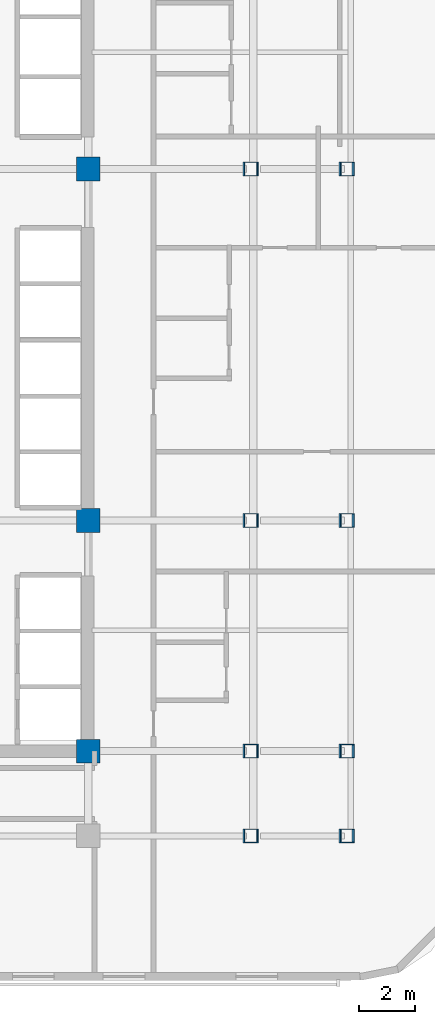
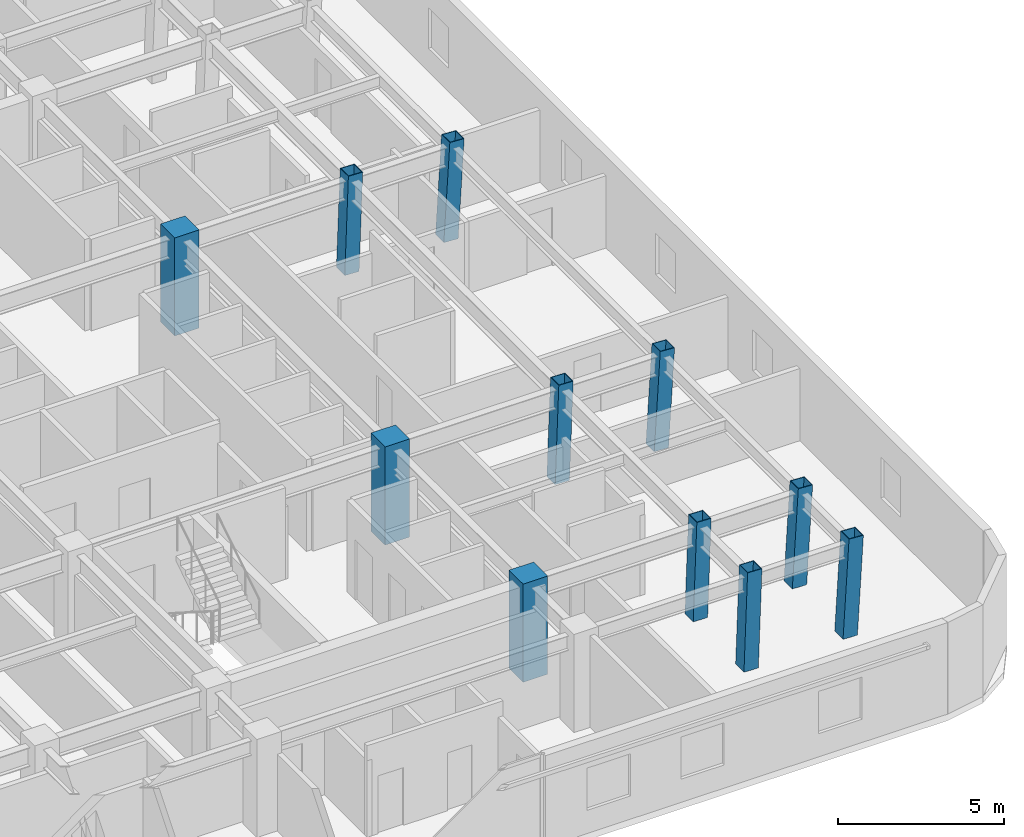
# One storey, part 2 of 15: 11 columns.
"""IFC4 building model written with IfcOpenShell, lengths in metres."""

from ifc_helpers import new_model, si_unit, direction, frame, origin, origin_2d, place, context, subcontext, project, spatial, rectangle, hollow_rectangle, extrude, material, material_profile, profile_set, type_object, element, save


model = new_model("IFC4")

# Units and contexts
model_context = context("Model", 3, precision=1e-05, world=origin(), true_north=direction((0.0, 1.0)))
body_context = subcontext(model_context, "Body", "Model", "MODEL_VIEW")
ifc_project = project(units=[si_unit("LENGTHUNIT", "METRE"), si_unit("AREAUNIT", "SQUARE_METRE"), si_unit("VOLUMEUNIT", "CUBIC_METRE"), si_unit("PLANEANGLEUNIT", "RADIAN"), si_unit("MASSUNIT", "GRAM", prefix="KILO")], contexts=[model_context])

# Site, building, storey
site_placement = place(None, origin())
site = spatial("IfcSite", under=ifc_project, at=site_placement, CompositionType="ELEMENT")
building_placement = place(site_placement, origin())
building = spatial("IfcBuilding", under=site, at=building_placement, Name="Ochreholt Gables", CompositionType="ELEMENT")
storey_placement = place(building_placement, frame((0.0, 0.0, 31.199951171875)))
storey = spatial("IfcBuildingStorey", under=building, at=storey_placement, Name="L07", CompositionType="ELEMENT", Elevation=31.199951171875)

# Columns
ifc_material_1 = material(Name="Steel CSA G40.21 350W", Category="steel")
ifc_material_profile_1 = material_profile(ifc_material_1, hollow_rectangle(XDim=0.5, YDim=0.5, WallThickness=0.02197265625, at=origin_2d()), Name="HSS500X500X22")
ifc_profile_set_1 = profile_set([ifc_material_profile_1], Name="Steel CSA G40.21 350W")
column_type_1 = type_object("IfcColumnType", Name="COL-HSS500-RAK", PredefinedType="COLUMN", material=ifc_profile_set_1)
for number, where, z_axis, x_axis, name in (
    (1, (41.028076171875, 9.25, 0.0), (0.034971136209, 0.0, 0.999388322742), (0.0, 1.0, 0.0), "L07 Column EMY2"),
    (2, (41.028076171875, 17.550048828125, 0.0), (0.034971136209, 0.0, 0.999388322742), (0.0, 1.0, 0.0), "L07 Column EMY3"),
    (3, (41.028076171875, 30.199951171875, 0.0), (0.034971136209, 0.0, 0.999388322742), (0.0, 1.0, 0.0), "L07 Column EMY4"),
):
    element("IfcColumn", number, at=place(storey_placement, frame(where, z_axis=z_axis, x_axis=x_axis)), inside=storey, type_object=column_type_1, Name=name, PredefinedType="COLUMN", context=body_context, shape_type="SweptSolid", body=[
        extrude(hollow_rectangle(XDim=0.5, YDim=0.5, WallThickness=0.02197265625, at=origin_2d()), origin(), (0.0, 0.0, 1.0), 3.602294921875),
    ])
ifc_material_profile_2 = material_profile(ifc_material_1, hollow_rectangle(XDim=0.5, YDim=0.5, WallThickness=0.02197265625, at=origin_2d()), Name="HSS500X500X22")
ifc_profile_set_2 = profile_set([ifc_material_profile_2], Name="Steel CSA G40.21 350W")
column_type_2 = type_object("IfcColumnType", Name="COL-HSS500-RAKE", PredefinedType="COLUMN", material=ifc_profile_set_2)
column_placement = place(storey_placement, frame((41.028076171875, 6.199951171875, 0.0), z_axis=(0.034971136209, 0.0, 0.999388322742), x_axis=(0.0, 1.0, 0.0)))
element("IfcColumn", 4, at=column_placement, inside=storey, type_object=column_type_2, Name="L07 Column EMY1", PredefinedType="COLUMN", context=body_context, shape_type="SweptSolid", body=[
    extrude(hollow_rectangle(XDim=0.5, YDim=0.5, WallThickness=0.02197265625, at=origin_2d()), origin(), (0.0, 0.0, 1.0), 3.602294921875),
])
for number, where, z_axis, x_axis, name in (
    (5, (44.46630859375, 6.199951171875, 0.0), (0.057952080376, 0.0, 0.998319365925), (0.0, 1.0, 0.0), "L07 Column EEY1"),
    (6, (44.46630859375, 9.25, 0.0), (0.057952080376, 0.0, 0.998319365925), (0.0, 1.0, 0.0), "L07 Column EEY2"),
    (7, (44.46630859375, 17.550048828125, 0.0), (0.057952080376, 0.0, 0.998319365925), (0.0, 1.0, 0.0), "L07 Column EEY3"),
    (8, (44.46630859375, 30.199951171875, 0.0), (0.057952080376, 0.0, 0.998319365925), (0.0, 1.0, 0.0), "L07 Column EEY4"),
):
    element("IfcColumn", number, at=place(storey_placement, frame(where, z_axis=z_axis, x_axis=x_axis)), inside=storey, type_object=column_type_2, Name=name, PredefinedType="COLUMN", context=body_context, shape_type="SweptSolid", body=[
        extrude(hollow_rectangle(XDim=0.5, YDim=0.5, WallThickness=0.02197265625, at=origin_2d()), origin(), (0.0, 0.0, 1.0), 3.606201171875),
    ])
ifc_material_2 = material(Name="Concrete 60 MPa", Category="concrete")
ifc_material_profile_3 = material_profile(ifc_material_2, rectangle(XDim=0.85009765625, YDim=0.85009765625, at=origin_2d()), Name="RC850X850")
ifc_profile_set_3 = profile_set([ifc_material_profile_3], Name="Concrete 60 MPa")
column_type_3 = type_object("IfcColumnType", Name="COL-RC850-INT", PredefinedType="COLUMN", material=ifc_profile_set_3)
for number, where, z_axis, x_axis, name in (
    (9, (35.199951171875, 9.25, 0.0), (0.0, 0.0, 1.0), (1.0, 0.0, 0.0), "L07 Column C2Y2"),
    (10, (35.199951171875, 17.550048828125, 0.0), (0.0, 0.0, 1.0), (1.0, 0.0, 0.0), "L07 Column C2Y3"),
    (11, (35.199951171875, 30.199951171875, 0.0), (0.0, 0.0, 1.0), (1.0, 0.0, 0.0), "L07 Column C2Y4"),
):
    element("IfcColumn", number, at=place(storey_placement, frame(where, z_axis=z_axis, x_axis=x_axis)), inside=storey, type_object=column_type_3, Name=name, PredefinedType="COLUMN", context=body_context, shape_type="SweptSolid", body=[
        extrude(rectangle(XDim=0.85009765625, YDim=0.85009765625, at=origin_2d()), origin(), (0.0, 0.0, 1.0), 3.60009765625),
    ])

save(model, "model.ifc")
